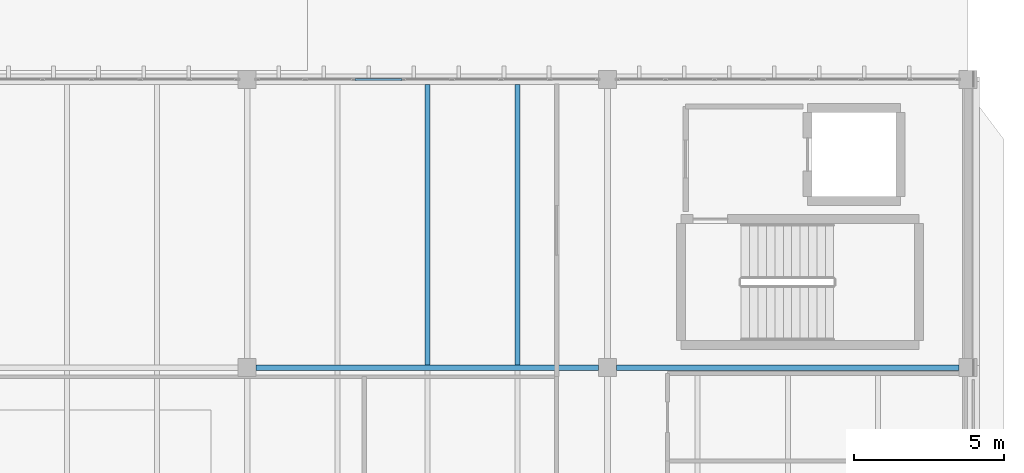
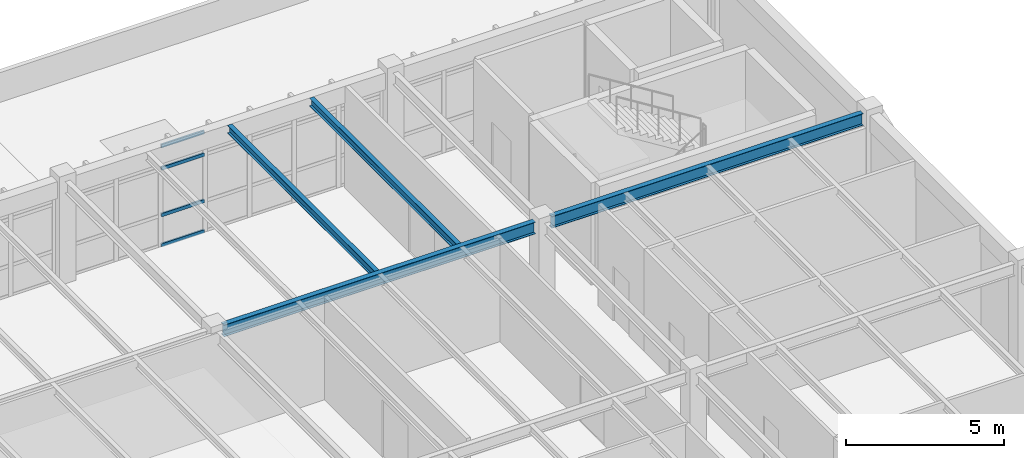
# One storey, part 20 of 37: 4 beams, 4 members, 1 element without a shape of its own.
"""IFC4 building model written with IfcOpenShell, lengths in metres."""

from ifc_helpers import new_model, si_unit, direction, frame, origin, origin_2d, place, context, subcontext, project, spatial, hollow_rectangle, i_section, extrude, material, layer, layer_set, material_profile, profile_set, type_object, element, aggregate, save


model = new_model("IFC4")

# Units and contexts
model_context = context("Model", 3, precision=1e-05, world=origin(), true_north=direction((0.0, 1.0)))
body_context = subcontext(model_context, "Body", "Model", "MODEL_VIEW")
ifc_project = project(units=[si_unit("LENGTHUNIT", "METRE"), si_unit("AREAUNIT", "SQUARE_METRE"), si_unit("VOLUMEUNIT", "CUBIC_METRE"), si_unit("PLANEANGLEUNIT", "RADIAN"), si_unit("MASSUNIT", "GRAM", prefix="KILO")], contexts=[model_context])

# Site, building, storey
site_placement = place(None, origin())
site = spatial("IfcSite", under=ifc_project, at=site_placement, CompositionType="ELEMENT")
building_placement = place(site_placement, origin())
building = spatial("IfcBuilding", under=site, at=building_placement, Name="Pandanus Reach Market Hall", CompositionType="ELEMENT")
storey_placement = place(building_placement, frame((0.0, 0.0, 14.39990234375)))
storey = spatial("IfcBuildingStorey", under=building, at=storey_placement, Name="L03", CompositionType="ELEMENT", Elevation=14.39990234375)

# Beams
ifc_material_1 = material(Name="Steel Grade 350 (350 MPa)", Category="steel")
ifc_material_profile_1 = material_profile(ifc_material_1, i_section(OverallWidth=0.18994140625, OverallDepth=0.45703125, WebThickness=0.009033203125, FlangeThickness=0.014404296875, at=origin_2d()), Name="460UB74.6", Category="LoadBearing")
ifc_profile_set_1 = profile_set([ifc_material_profile_1], Name="Steel Grade 350 (350 MPa)")
beam_type_1 = type_object("IfcBeamType", Name="BM-UB460-I", PredefinedType="BEAM", material=ifc_profile_set_1)
for number, where, z_axis, x_axis, name in (
    (1, (156.298095703125, 67.199951171875, 3.731201171875), (1.0, 0.0, 0.0), (0.0, 1.0, 0.0), "Framing beam BM-UB460-I L03.549"),
    (2, (168.298095703125, 67.199951171875, 3.731201171875), (1.0, 0.0, 0.0), (0.0, 1.0, 0.0), "Framing beam BM-UB460-I L03.550"),
):
    element("IfcBeam", number, at=place(storey_placement, frame(where, z_axis=z_axis, x_axis=x_axis)), inside=storey, type_object=beam_type_1, Name=name, PredefinedType="BEAM", context=body_context, shape_type="SweptSolid", body=[
        extrude(i_section(OverallWidth=0.18994140625, OverallDepth=0.45703125, WebThickness=0.009033203125, FlangeThickness=0.014404296875, at=origin_2d()), origin(), (0.0, 0.0, 1.0), 11.40380859375),
    ])

# Curtain wall, members
ifc_material_2 = material(Name="Bronze anodised aluminium and low-E glass", Category="aluminium")
ifc_layer = layer(ifc_material_2, 0.159912109375, Name="CW-31")
ifc_layer_set = layer_set([ifc_layer], Name="Bronze anodised aluminium and low-E glass")
curtain_wall_type = type_object("IfcCurtainWallType", Name="CW-31", PredefinedType="NOTDEFINED", material=ifc_layer_set)
curtain_wall_placement = place(storey_placement, origin())
curtain_wall = element("IfcCurtainWall", 3, at=curtain_wall_placement, inside=storey, type_object=curtain_wall_type, Name="Glazed curtain wall CW-31 CW-0119", PredefinedType="NOTDEFINED")
ifc_material_3 = material(Name="Bronze anodised aluminium", Category="aluminium")
ifc_material_profile_2 = material_profile(ifc_material_3, hollow_rectangle(XDim=0.06494140625, YDim=0.1298828125, WallThickness=0.00390625, at=origin_2d()), Name="ALU65x130", Category="LoadBearing")
ifc_profile_set_2 = profile_set([ifc_material_profile_2], Name="Bronze anodised aluminium")
member_type = type_object("IfcMemberType", Name="CW-T1", PredefinedType="USERDEFINED", material=ifc_profile_set_2)
member_1_placement = place(storey_placement, frame((159.589599609375, 76.800048828125, 0.03271484375), z_axis=(1.0, 0.0, 0.0), x_axis=(0.0, 1.0, 0.0)))
member_1 = element("IfcMember", 4, at=member_1_placement, type_object=member_type, Name="CW-31 transom 3.1", ObjectType="TRANSOM", PredefinedType="USERDEFINED", context=body_context, shape_type="SweptSolid", body=[
    extrude(hollow_rectangle(XDim=0.06494140625, YDim=0.1298828125, WallThickness=0.00390625, at=origin_2d()), origin(), (0.0, 0.0, 1.0), 1.563720703125),
])
member_2_placement = place(storey_placement, frame((159.589599609375, 76.800048828125, 1.2001953125), z_axis=(1.0, 0.0, 0.0), x_axis=(0.0, 1.0, 0.0)))
member_2 = element("IfcMember", 5, at=member_2_placement, type_object=member_type, Name="CW-31 transom 3.2", ObjectType="TRANSOM", PredefinedType="USERDEFINED", context=body_context, shape_type="SweptSolid", body=[
    extrude(hollow_rectangle(XDim=0.06494140625, YDim=0.1298828125, WallThickness=0.00390625, at=origin_2d()), origin(), (0.0, 0.0, 1.0), 1.563720703125),
])
member_3_placement = place(storey_placement, frame((159.589599609375, 76.800048828125, 3.0), z_axis=(1.0, 0.0, 0.0), x_axis=(0.0, 1.0, 0.0)))
member_3 = element("IfcMember", 6, at=member_3_placement, type_object=member_type, Name="CW-31 transom 3.3", ObjectType="TRANSOM", PredefinedType="USERDEFINED", context=body_context, shape_type="SweptSolid", body=[
    extrude(hollow_rectangle(XDim=0.06494140625, YDim=0.1298828125, WallThickness=0.00390625, at=origin_2d()), origin(), (0.0, 0.0, 1.0), 1.563720703125),
])
member_4_placement = place(storey_placement, frame((159.589599609375, 76.800048828125, 3.86767578125), z_axis=(1.0, 0.0, 0.0), x_axis=(0.0, 1.0, 0.0)))
member_4 = element("IfcMember", 7, at=member_4_placement, type_object=member_type, Name="CW-31 transom 3.4", ObjectType="TRANSOM", PredefinedType="USERDEFINED", context=body_context, shape_type="SweptSolid", body=[
    extrude(hollow_rectangle(XDim=0.06494140625, YDim=0.1298828125, WallThickness=0.00390625, at=origin_2d()), origin(), (0.0, 0.0, 1.0), 1.563720703125),
])
aggregate(curtain_wall, [member_1, member_2, member_3, member_4])

# Beams
ifc_material_profile_3 = material_profile(ifc_material_1, i_section(OverallWidth=0.1650390625, OverallDepth=0.303955078125, WebThickness=0.006103515625, FlangeThickness=0.01025390625, at=origin_2d()), Name="310UB40.4", Category="LoadBearing")
ifc_profile_set_3 = profile_set([ifc_material_profile_3], Name="Steel Grade 350 (350 MPa)")
beam_type_2 = type_object("IfcBeamType", Name="JS-UB310-I", PredefinedType="JOIST", material=ifc_profile_set_3)
for number, where, z_axis, x_axis, name in (
    (8, (162.0, 67.29296875, 3.8076171875), (0.0, 1.0, 0.0), (-1.0, 0.0, 0.0), "Secondary joist JS-UB310-I L03.599"),
    (9, (165.0, 67.29296875, 3.8076171875), (0.0, 1.0, 0.0), (-1.0, 0.0, 0.0), "Secondary joist JS-UB310-I L03.600"),
):
    element("IfcBeam", number, at=place(storey_placement, frame(where, z_axis=z_axis, x_axis=x_axis)), inside=storey, type_object=beam_type_2, Name=name, PredefinedType="JOIST", context=body_context, shape_type="SweptSolid", body=[
        extrude(i_section(OverallWidth=0.1650390625, OverallDepth=0.303955078125, WebThickness=0.006103515625, FlangeThickness=0.01025390625, at=origin_2d()), origin(), (0.0, 0.0, 1.0), 9.333984375),
    ])

save(model, "model.ifc")
